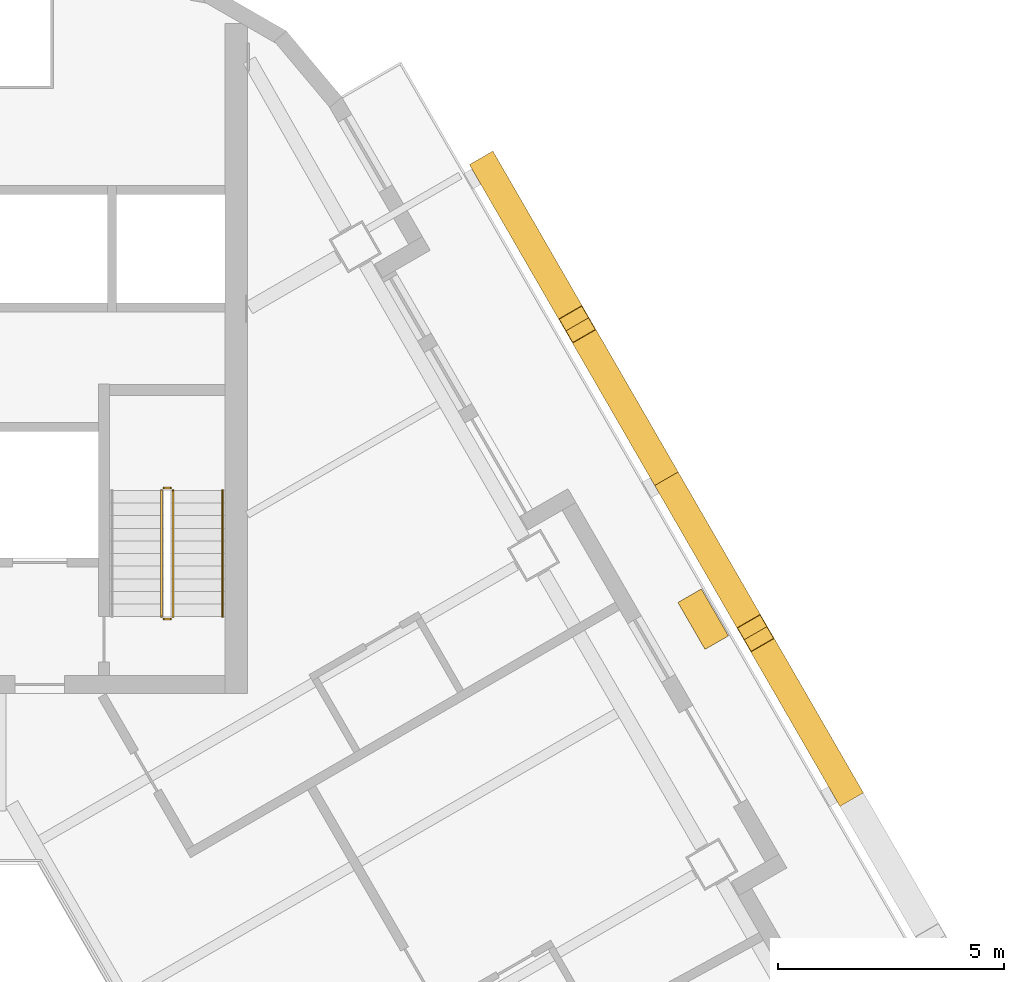
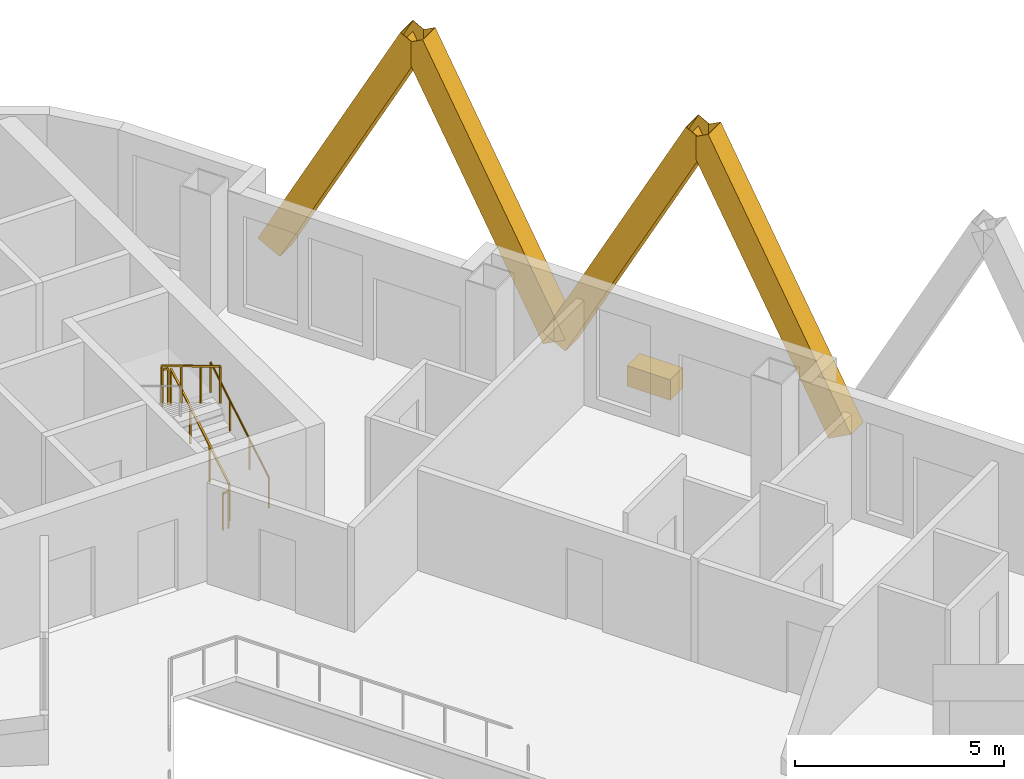
# One storey, part 17 of 17: 5 railings, 4 shading devices, 1 covering.
"""IFC4 building model written with IfcOpenShell, lengths in metres."""

from ifc_helpers import new_model, si_unit, direction, frame, origin, origin_2d, place, context, subcontext, project, spatial, rectangle, hollow_rectangle, circle, extrude, material, material_profile, profile_set, type_object, element, save


model = new_model("IFC4")

# Units and contexts
model_context = context("Model", 3, precision=1e-05, world=origin(), true_north=direction((0.0, 1.0)))
body_context = subcontext(model_context, "Body", "Model", "MODEL_VIEW")
ifc_project = project(units=[si_unit("LENGTHUNIT", "METRE"), si_unit("AREAUNIT", "SQUARE_METRE"), si_unit("VOLUMEUNIT", "CUBIC_METRE"), si_unit("PLANEANGLEUNIT", "RADIAN"), si_unit("MASSUNIT", "GRAM", prefix="KILO")], contexts=[model_context])

# Site, building, storey
site_placement = place(None, origin())
site = spatial("IfcSite", under=ifc_project, at=site_placement, CompositionType="ELEMENT")
building_placement = place(site_placement, origin())
building = spatial("IfcBuilding", under=site, at=building_placement, Name="Apuvela Tower Hotel", CompositionType="ELEMENT")
storey_placement = place(building_placement, frame((0.0, 0.0, 146.60009765625)))
storey = spatial("IfcBuildingStorey", under=building, at=storey_placement, Name="L34", CompositionType="ELEMENT", Elevation=146.60009765625)

# Railings
ifc_material_1 = material(Name="Steel S275 balustrade", Category="steel")
railing_type_1 = type_object("IfcRailingType", Name="COR-GUARD-1100", PredefinedType="GUARDRAIL", material=ifc_material_1)
railing_1_placement = place(storey_placement, frame((3.85009765625, 14.60009765625, 0.16796875)))
element("IfcRailing", 1, at=railing_1_placement, inside=storey, type_object=railing_type_1, Name="L34 ST1 stair guard 1", PredefinedType="GUARDRAIL", context=body_context, shape_type="SweptSolid", body=[
    extrude(rectangle(XDim=0.048095703125, YDim=0.048095703125, at=origin_2d()), frame((0.0, 0.0, 1.076171875), z_axis=(0.0, 0.857222391501, 0.514946377315), x_axis=(-1.0, 0.0, 0.0)), (0.0, 0.0, 1.0), 3.26611328125),
    extrude(rectangle(XDim=0.0419921875, YDim=0.0419921875, at=origin_2d()), origin(), (0.0, 0.0, 1.0), 1.052001953125),
    extrude(rectangle(XDim=0.0419921875, YDim=0.0419921875, at=origin_2d()), frame((0.0, 0.933349609375, 0.560546875)), (0.0, 0.0, 1.0), 1.052001953125),
    extrude(rectangle(XDim=0.0419921875, YDim=0.0419921875, at=origin_2d()), frame((0.0, 1.866455078125, 1.121337890625)), (0.0, 0.0, 1.0), 1.052001953125),
    extrude(rectangle(XDim=0.0419921875, YDim=0.0419921875, at=origin_2d()), frame((0.0, 2.7998046875, 1.681884765625)), (0.0, 0.0, 1.0), 1.052001953125),
])
railing_2_placement = place(storey_placement, frame((3.800048828125, 17.449951171875, 1.849853515625)))
element("IfcRailing", 2, at=railing_2_placement, inside=storey, type_object=railing_type_1, Name="L34 ST1 stair guard 2", PredefinedType="GUARDRAIL", context=body_context, shape_type="SweptSolid", body=[
    extrude(rectangle(XDim=0.048095703125, YDim=0.048095703125, at=origin_2d()), frame((0.0, 0.0, 1.076171875), z_axis=(-1.0, 0.0, 0.0), x_axis=(0.0, -1.0, 0.0)), (0.0, 0.0, 1.0), 0.150146484375),
    extrude(rectangle(XDim=0.0419921875, YDim=0.0419921875, at=origin_2d()), origin(), (0.0, 0.0, 1.0), 1.052001953125),
    extrude(rectangle(XDim=0.0419921875, YDim=0.0419921875, at=origin_2d()), frame((-0.150146484375, 0.0, 0.0)), (0.0, 0.0, 1.0), 1.052001953125),
])
railing_3_placement = place(storey_placement, frame((3.60009765625, 17.39990234375, 2.01806640625)))
element("IfcRailing", 3, at=railing_3_placement, inside=storey, type_object=railing_type_1, Name="L34 ST1 stair guard 3", PredefinedType="GUARDRAIL", context=body_context, shape_type="SweptSolid", body=[
    extrude(rectangle(XDim=0.048095703125, YDim=0.048095703125, at=origin_2d()), frame((0.0, 0.0, 1.076171875), z_axis=(0.0, -0.857222391501, 0.514946377315), x_axis=(1.0, 0.0, 0.0)), (0.0, 0.0, 1.0), 3.26611328125),
    extrude(rectangle(XDim=0.0419921875, YDim=0.0419921875, at=origin_2d()), origin(), (0.0, 0.0, 1.0), 1.052001953125),
    extrude(rectangle(XDim=0.0419921875, YDim=0.0419921875, at=origin_2d()), frame((0.0, -0.933349609375, 0.560546875)), (0.0, 0.0, 1.0), 1.052001953125),
    extrude(rectangle(XDim=0.0419921875, YDim=0.0419921875, at=origin_2d()), frame((0.0, -1.866455078125, 1.121337890625)), (0.0, 0.0, 1.0), 1.052001953125),
    extrude(rectangle(XDim=0.0419921875, YDim=0.0419921875, at=origin_2d()), frame((0.0, -2.7998046875, 1.681884765625)), (0.0, 0.0, 1.0), 1.052001953125),
])
railing_4_placement = place(storey_placement, frame((3.800048828125, 14.550048828125, 0.0)))
element("IfcRailing", 4, at=railing_4_placement, inside=storey, type_object=railing_type_1, Name="L34 ST1 stair guard 4", PredefinedType="GUARDRAIL", context=body_context, shape_type="SweptSolid", body=[
    extrude(rectangle(XDim=0.048095703125, YDim=0.048095703125, at=origin_2d()), frame((0.0, 0.0, 1.076171875), z_axis=(-1.0, 0.0, 0.0), x_axis=(0.0, -1.0, 0.0)), (0.0, 0.0, 1.0), 0.150146484375),
    extrude(rectangle(XDim=0.0419921875, YDim=0.0419921875, at=origin_2d()), origin(), (0.0, 0.0, 1.0), 1.052001953125),
    extrude(rectangle(XDim=0.0419921875, YDim=0.0419921875, at=origin_2d()), frame((-0.150146484375, 0.0, 0.0)), (0.0, 0.0, 1.0), 1.052001953125),
])
ifc_material_2 = material(Name="Stainless steel 316 handrail", Category="steel")
railing_type_2 = type_object("IfcRailingType", Name="COR-HANDRAIL-900", PredefinedType="HANDRAIL", material=ifc_material_2)
railing_5_placement = place(storey_placement, frame((4.949951171875, 14.60009765625, 0.16796875)))
element("IfcRailing", 5, at=railing_5_placement, inside=storey, type_object=railing_type_2, Name="L34 ST1 stair handrail 1", PredefinedType="HANDRAIL", context=body_context, shape_type="SweptSolid", body=[
    extrude(circle(Radius=0.02392578125, at=origin_2d()), frame((0.0, 0.0, 0.8759765625), z_axis=(0.0, 0.857222391501, 0.514946377315), x_axis=(-1.0, 0.0, 0.0)), (0.0, 0.0, 1.0), 3.26611328125),
    extrude(rectangle(XDim=0.0419921875, YDim=0.0419921875, at=origin_2d()), origin(), (0.0, 0.0, 1.0), 0.851806640625),
    extrude(rectangle(XDim=0.0419921875, YDim=0.0419921875, at=origin_2d()), frame((0.0, 0.933349609375, 0.560546875)), (0.0, 0.0, 1.0), 0.851806640625),
    extrude(rectangle(XDim=0.0419921875, YDim=0.0419921875, at=origin_2d()), frame((0.0, 1.866455078125, 1.121337890625)), (0.0, 0.0, 1.0), 0.851806640625),
    extrude(rectangle(XDim=0.0419921875, YDim=0.0419921875, at=origin_2d()), frame((0.0, 2.7998046875, 1.681884765625)), (0.0, 0.0, 1.0), 0.851806640625),
])

# Shading devices
ifc_material_3 = material(Name="Aluminium 6063-T6, black anodised", Category="aluminium")
ifc_material_profile = material_profile(ifc_material_3, hollow_rectangle(XDim=0.60009765625, YDim=0.699951171875, WallThickness=0.011962890625, at=origin_2d()), Name="AL BOX 700x600x12")
ifc_profile_set = profile_set([ifc_material_profile], Name="Aluminium 6063-T6, black anodised")
shading_device_type = type_object("IfcShadingDeviceType", Name="ENV-FIN-700x600", PredefinedType="USERDEFINED", material=ifc_profile_set)
for number, where, z_axis, x_axis, name in (
    (6, (18.732177734375, 10.81494140625, -0.10009765625), (-0.235461085354, 0.407822092458, 0.882178677019), (-0.866020906874, -0.500007788796, 0.0), "Lattice fin NE341"),
    (7, (14.781982421875, 17.656494140625, -0.10009765625), (0.235463880167, -0.407797827568, 0.882189148067), (0.866005453737, 0.500034552904, 0.0), "Lattice fin NE342"),
    (8, (14.781982421875, 17.656494140625, -0.10009765625), (-0.235433593518, 0.407824887177, 0.882184722404), (-0.866047669374, -0.499961432884, 0.0), "Lattice fin NE343"),
    (9, (10.83203125, 24.498291015625, -0.10009765625), (0.235461085354, -0.407822092458, 0.882178677019), (0.866020906874, 0.500007788796, 0.0), "Lattice fin NE344"),
):
    element("IfcShadingDevice", number, at=place(storey_placement, frame(where, z_axis=z_axis, x_axis=x_axis)), inside=storey, type_object=shading_device_type, Name=name, ObjectType="FIN", PredefinedType="USERDEFINED", context=body_context, shape_type="SweptSolid", body=[
        extrude(hollow_rectangle(XDim=0.60009765625, YDim=0.699951171875, WallThickness=0.011962890625, at=origin_2d()), origin(), (0.0, 0.0, 1.0), 8.38818359375),
    ])

# Covering
ifc_material_4 = material(Name="Planting substrate and soil, planted")
covering_type = type_object("IfcCoveringType", Name="ENV-PLANTER-1200x600", PredefinedType="USERDEFINED", material=ifc_material_4)
covering_placement = place(storey_placement, frame((15.596435546875, 14.546142578125, -0.000244140625), z_axis=(0.0, 0.0, 1.0), x_axis=(-0.5, 0.866025403784, 0.0)))
element("IfcCovering", 10, at=covering_placement, inside=storey, type_object=covering_type, Name="Planter NE3", ObjectType="PLANTER", PredefinedType="USERDEFINED", context=body_context, shape_type="SweptSolid", body=[
    extrude(rectangle(XDim=1.199951171875, YDim=0.60009765625, at=origin_2d()), origin(), (0.0, 0.0, 1.0), 0.60009765625),
])

save(model, "model.ifc")
